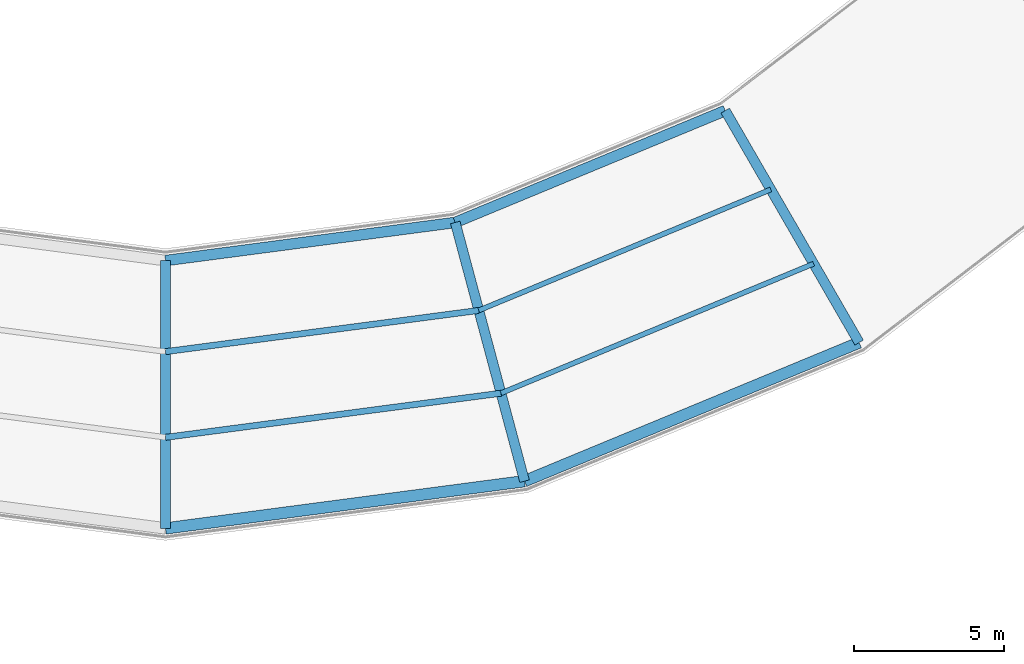
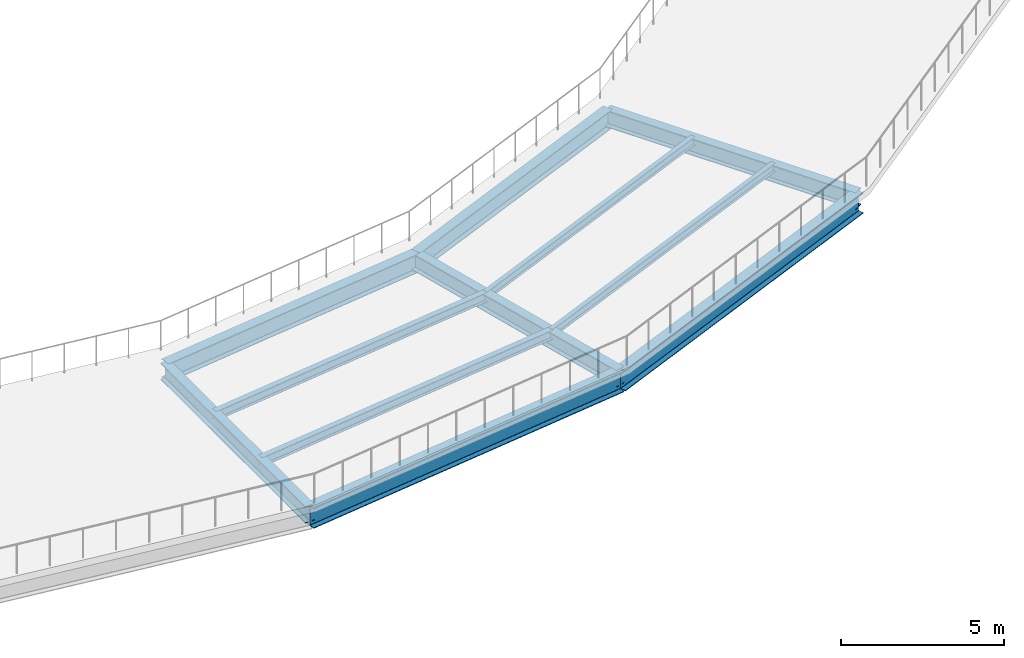
# One storey, part 19 of 53: 11 beams.
"""IFC4 building model written with IfcOpenShell, lengths in metres."""

from ifc_helpers import new_model, si_unit, direction, frame, origin, origin_2d, place, context, subcontext, project, spatial, i_section, extrude, material, material_profile, profile_set, type_object, element, save


model = new_model("IFC4")

# Units and contexts
model_context = context("Model", 3, precision=1e-05, world=origin(), true_north=direction((0.0, 1.0)))
body_context = subcontext(model_context, "Body", "Model", "MODEL_VIEW")
ifc_project = project(units=[si_unit("LENGTHUNIT", "METRE"), si_unit("AREAUNIT", "SQUARE_METRE"), si_unit("VOLUMEUNIT", "CUBIC_METRE"), si_unit("PLANEANGLEUNIT", "RADIAN"), si_unit("MASSUNIT", "GRAM", prefix="KILO")], contexts=[model_context])

# Site, building, storey
site_placement = place(None, origin())
site = spatial("IfcSite", under=ifc_project, at=site_placement, CompositionType="ELEMENT")
building_placement = place(site_placement, origin())
building = spatial("IfcBuilding", under=site, at=building_placement, Name="Vespera Passage Community Centre", CompositionType="ELEMENT")
storey_placement = place(building_placement, frame((0.0, 0.0, 20.39990234375)))
storey = spatial("IfcBuildingStorey", under=building, at=storey_placement, Name="L05", CompositionType="ELEMENT", Elevation=20.39990234375)

# Beams
ifc_material_1 = material(Name="Steel ASTM A992 Grade 50", Category="steel")
ifc_material_profile_1 = material_profile(ifc_material_1, i_section(OverallWidth=0.32763671875, OverallDepth=0.62841796875, WebThickness=0.0166015625, FlangeThickness=0.027587890625, FilletRadius=0.0126953125, at=origin_2d()), Name="W24X146")
ifc_profile_set_1 = profile_set([ifc_material_profile_1], Name="Steel ASTM A992 Grade 50")
beam_type_1 = type_object("IfcBeamType", Name="BM-G-W24X146", PredefinedType="BEAM", material=ifc_profile_set_1)
for number, where, z_axis, x_axis, name in (
    (1, (78.0, 28.300048828125, -0.57421875), (0.0, -1.0, 0.0), (1.0, 0.0, 0.0), "V4 L05 Radial Girder 18"),
    (2, (87.628173828125, 29.567626953125, -0.57421875), (0.258811497245, -0.9659278487, 0.0), (0.9659278487, 0.258811497245, 0.0), "V4 L05 Radial Girder 19"),
    (3, (96.60009765625, 33.283935546875, -0.57421875), (0.499989191739, -0.866031643847, 0.0), (0.866031643847, 0.499989191739, 0.0), "V4 L05 Radial Girder 20"),
):
    element("IfcBeam", number, at=place(storey_placement, frame(where, z_axis=z_axis, x_axis=x_axis)), inside=storey, type_object=beam_type_1, Name=name, PredefinedType="BEAM", context=body_context, shape_type="SweptSolid", body=[
        extrude(i_section(OverallWidth=0.32763671875, OverallDepth=0.62841796875, WebThickness=0.0166015625, FlangeThickness=0.027587890625, FilletRadius=0.0126953125, at=origin_2d()), origin(), (0.0, 0.0, 1.0), 8.900146484375),
    ])
ifc_material_2 = material(Name="Steel ASTM A992 Grade 50", Category="steel")
ifc_material_profile_2 = material_profile(ifc_material_2, i_section(OverallWidth=0.16650390625, OverallDepth=0.3173828125, WebThickness=0.007568359375, FlangeThickness=0.01318359375, FilletRadius=0.007568359375, at=origin_2d()), Name="W12X35")
ifc_profile_set_2 = profile_set([ifc_material_profile_2], Name="Steel ASTM A992 Grade 50")
beam_type_2 = type_object("IfcBeamType", Name="BM-J-W12X35", PredefinedType="JOIST", material=ifc_profile_set_2)
beam_1_placement = place(storey_placement, frame((88.411376953125, 26.644775390625, -0.418701171875), z_axis=(0.92387968492, 0.382683064417, 0.0), x_axis=(-0.382683064417, 0.92387968492, 0.0)))
element("IfcBeam", 4, at=beam_1_placement, inside=storey, type_object=beam_type_2, Name="V4 L05 Floor Joist 19.1", PredefinedType="JOIST", context=body_context, shape_type="SweptSolid", body=[
    extrude(i_section(OverallWidth=0.16650390625, OverallDepth=0.3173828125, WebThickness=0.007568359375, FlangeThickness=0.01318359375, FilletRadius=0.007568359375, at=origin_2d()), origin(), (0.0, 0.0, 1.0), 10.5009765625),
])
beam_2_placement = place(storey_placement, frame((89.1484375, 23.893798828125, -0.418701171875), z_axis=(0.923884257257, 0.38267202562, 0.0), x_axis=(-0.38267202562, 0.923884257257, 0.0)))
element("IfcBeam", 5, at=beam_2_placement, inside=storey, type_object=beam_type_2, Name="V4 L05 Floor Joist 19.2", PredefinedType="JOIST", context=body_context, shape_type="SweptSolid", body=[
    extrude(i_section(OverallWidth=0.16650390625, OverallDepth=0.3173828125, WebThickness=0.007568359375, FlangeThickness=0.01318359375, FilletRadius=0.007568359375, at=origin_2d()), origin(), (0.0, 0.0, 1.0), 11.24462890625),
])
ifc_material_3 = material(Name="Steel ASTM A992 Grade 50", Category="steel")
ifc_material_profile_3 = material_profile(ifc_material_3, i_section(OverallWidth=0.2041015625, OverallDepth=0.3505859375, WebThickness=0.008544921875, FlangeThickness=0.01513671875, FilletRadius=0.01513671875, at=origin_2d()), Name="W14X48")
ifc_profile_set_3 = profile_set([ifc_material_profile_3], Name="Steel ASTM A992 Grade 50")
beam_type_3 = type_object("IfcBeamType", Name="BM-J-W14X48", PredefinedType="JOIST", material=ifc_profile_set_3)
beam_3_placement = place(storey_placement, frame((78.0, 25.27392578125, -0.435302734375), z_axis=(0.991442817683, 0.130541714651, 0.0), x_axis=(-0.130541714651, 0.991442817683, 0.0)))
element("IfcBeam", 6, at=beam_3_placement, inside=storey, type_object=beam_type_3, Name="V4 L05 Floor Joist 18.1", PredefinedType="JOIST", context=body_context, shape_type="SweptSolid", body=[
    extrude(i_section(OverallWidth=0.2041015625, OverallDepth=0.3505859375, WebThickness=0.008544921875, FlangeThickness=0.01513671875, FilletRadius=0.01513671875, at=origin_2d()), origin(), (0.0, 0.0, 1.0), 10.501220703125),
])
beam_4_placement = place(storey_placement, frame((78.0, 22.426025390625, -0.435302734375), z_axis=(0.991444242244, 0.130530894892, 0.0), x_axis=(-0.130530894892, 0.991444242244, 0.0)))
element("IfcBeam", 7, at=beam_4_placement, inside=storey, type_object=beam_type_3, Name="V4 L05 Floor Joist 18.2", PredefinedType="JOIST", context=body_context, shape_type="SweptSolid", body=[
    extrude(i_section(OverallWidth=0.2041015625, OverallDepth=0.3505859375, WebThickness=0.008544921875, FlangeThickness=0.01513671875, FilletRadius=0.01513671875, at=origin_2d()), origin(), (0.0, 0.0, 1.0), 11.24462890625),
])
ifc_material_4 = material(Name="Steel ASTM A992 Grade 50", Category="steel")
ifc_material_profile_4 = material_profile(ifc_material_4, i_section(OverallWidth=0.3544921875, OverallDepth=0.695556640625, WebThickness=0.015380859375, FlangeThickness=0.024658203125, FilletRadius=0.01513671875, at=origin_2d()), Name="W27X146")
ifc_profile_set_4 = profile_set([ifc_material_profile_4], Name="Steel ASTM A992 Grade 50")
beam_type_4 = type_object("IfcBeamType", Name="BM-SP-W27X146E", PredefinedType="SPANDREL", material=ifc_profile_set_4)
for number, where, z_axis, x_axis, name in (
    (8, (78.0, 28.300048828125, -0.607666015625), (0.991444794834, 0.130526697639, 0.0), (-0.130526697639, 0.991444794834, 0.0), "V4 L05 Inner Spandrel 18"),
    (9, (87.628173828125, 29.567626953125, -0.607666015625), (0.923878947685, 0.382684844258, 0.0), (-0.382684844258, 0.923878947685, 0.0), "V4 L05 Inner Spandrel 19"),
):
    element("IfcBeam", number, at=place(storey_placement, frame(where, z_axis=z_axis, x_axis=x_axis)), inside=storey, type_object=beam_type_4, Name=name, PredefinedType="SPANDREL", context=body_context, shape_type="SweptSolid", body=[
        extrude(i_section(OverallWidth=0.3544921875, OverallDepth=0.695556640625, WebThickness=0.015380859375, FlangeThickness=0.024658203125, FilletRadius=0.01513671875, at=origin_2d()), origin(), (0.0, 0.0, 1.0), 9.711181640625),
    ])
ifc_material_5 = material(Name="Steel ASTM A992 Grade 50", Category="steel")
ifc_material_profile_5 = material_profile(ifc_material_5, i_section(OverallWidth=0.382080078125, OverallDepth=0.779296875, WebThickness=0.01806640625, FlangeThickness=0.030029296875, FilletRadius=0.0166015625, at=origin_2d()), Name="W30X191")
ifc_profile_set_5 = profile_set([ifc_material_profile_5], Name="Steel ASTM A992 Grade 50")
beam_type_5 = type_object("IfcBeamType", Name="BM-SP-W30X191E", PredefinedType="SPANDREL", material=ifc_profile_set_5)
beam_5_placement = place(storey_placement, frame((78.0, 19.39990234375, -0.649658203125), z_axis=(0.991445178667, 0.130523782115, 0.0), x_axis=(-0.130523782115, 0.991445178667, 0.0)))
element("IfcBeam", 10, at=beam_5_placement, inside=storey, type_object=beam_type_5, Name="V4 L05 Outer Spandrel 18", PredefinedType="SPANDREL", context=body_context, shape_type="SweptSolid", body=[
    extrude(i_section(OverallWidth=0.382080078125, OverallDepth=0.779296875, WebThickness=0.01806640625, FlangeThickness=0.030029296875, FilletRadius=0.0166015625, at=origin_2d()), origin(), (0.0, 0.0, 1.0), 12.03466796875),
])
beam_6_placement = place(storey_placement, frame((89.931640625, 20.970703125, -0.649658203125), z_axis=(0.923877379647, 0.382688629799, 0.0), x_axis=(-0.382688629799, 0.923877379647, 0.0)))
element("IfcBeam", 11, at=beam_6_placement, inside=storey, type_object=beam_type_5, Name="V4 L05 Outer Spandrel 19", PredefinedType="SPANDREL", context=body_context, shape_type="SweptSolid", body=[
    extrude(i_section(OverallWidth=0.382080078125, OverallDepth=0.779296875, WebThickness=0.01806640625, FlangeThickness=0.030029296875, FilletRadius=0.0166015625, at=origin_2d()), origin(), (0.0, 0.0, 1.0), 12.034423828125),
])

save(model, "model.ifc")
